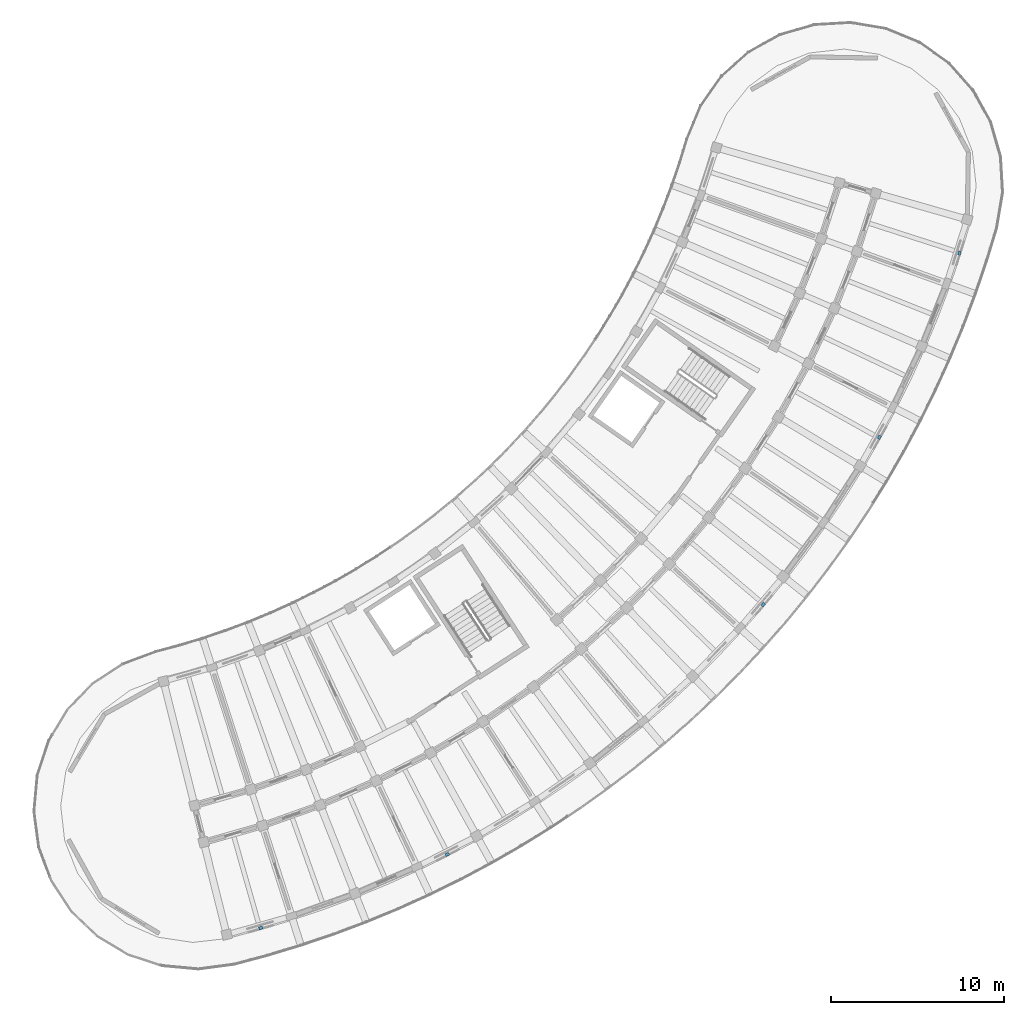
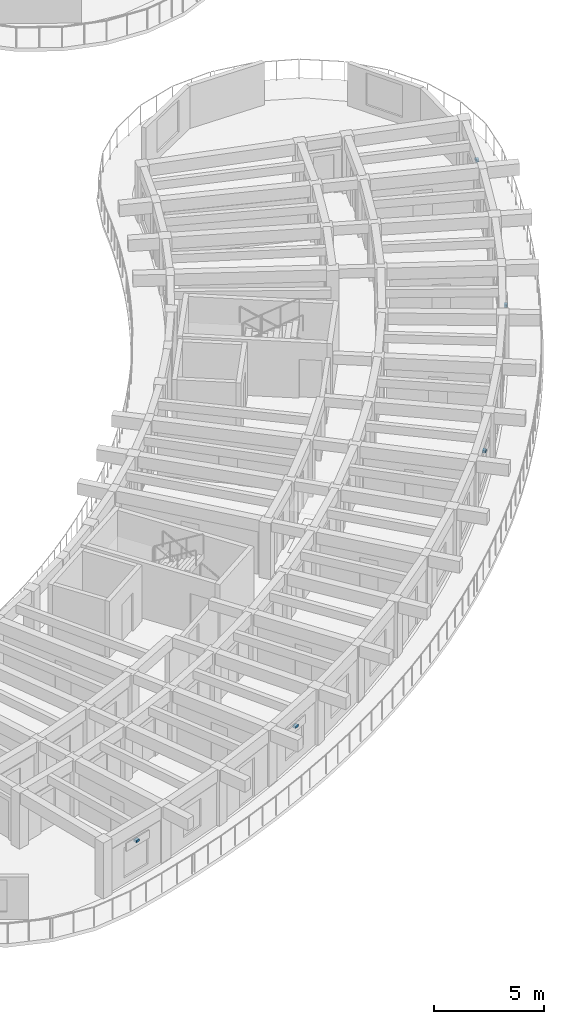
# One storey, part 50 of 69: 5 discrete accessories.
"""IFC4 building model written with IfcOpenShell, lengths in metres."""

from ifc_helpers import new_model, si_unit, direction, frame, origin, origin_2d, place, context, subcontext, project, spatial, rectangle, extrude, material, type_object, element, save


model = new_model("IFC4")

# Units and contexts
model_context = context("Model", 3, precision=1e-05, world=origin(), true_north=direction((0.0, 1.0)))
body_context = subcontext(model_context, "Body", "Model", "MODEL_VIEW")
ifc_project = project(units=[si_unit("LENGTHUNIT", "METRE"), si_unit("AREAUNIT", "SQUARE_METRE"), si_unit("VOLUMEUNIT", "CUBIC_METRE"), si_unit("PLANEANGLEUNIT", "RADIAN"), si_unit("MASSUNIT", "GRAM", prefix="KILO")], contexts=[model_context])

# Site, building, storey
site_placement = place(None, origin())
site = spatial("IfcSite", under=ifc_project, at=site_placement, CompositionType="ELEMENT")
building_placement = place(site_placement, origin())
building = spatial("IfcBuilding", under=site, at=building_placement, Name="Tanwirah Colonnade Gardens", CompositionType="ELEMENT")
storey_placement = place(building_placement, frame((0.0, 0.0, 15.56005859375)))
storey = spatial("IfcBuildingStorey", under=building, at=storey_placement, Name="L04", CompositionType="ELEMENT", Elevation=15.56005859375)

# Discrete accessories
ifc_material = material(Name="Steel S355", Category="steel")
discrete_accessory_type = type_object("IfcDiscreteAccessoryType", Name="BRK-SS1", PredefinedType="BRACKET", material=ifc_material)
for number, where, z_axis, x_axis, name in (
    (1, (137.370361328125, 7.1005859375, 2.02978515625), (0.0, 0.0, 1.0), (0.961860770803, 0.273539499139, 0.0), "Solar screen support bracket D-L04-00"),
    (2, (148.173828125, 11.356201171875, 2.009765625), (0.0, 0.0, 1.0), (0.890014924435, 0.455931392078, 0.0), "Solar screen support bracket D-L04-03"),
    (3, (166.442626953125, 25.800537109375, 2.14990234375), (0.0, 0.0, 1.0), (0.647787018861, 0.761821487092, 0.0), "Solar screen support bracket D-L04-09"),
    (4, (173.1630859375, 35.488037109375, 2.02978515625), (0.0, 0.0, 1.0), (0.486717384336, 0.873559492985, 0.0), "Solar screen support bracket D-L04-12"),
    (5, (177.79296875, 46.136474609375, 2.009765625), (0.0, 0.0, 1.0), (0.30694295016, 0.951727915608, 0.0), "Solar screen support bracket D-L04-15"),
):
    element("IfcDiscreteAccessory", number, at=place(storey_placement, frame(where, z_axis=z_axis, x_axis=x_axis)), inside=storey, type_object=discrete_accessory_type, Name=name, PredefinedType="BRACKET", context=body_context, shape_type="SweptSolid", body=[
        extrude(rectangle(XDim=0.219970703125, YDim=0.159912109375, at=origin_2d()), origin(), (0.0, 0.0, 1.0), 0.1201171875),
    ])

save(model, "model.ifc")
